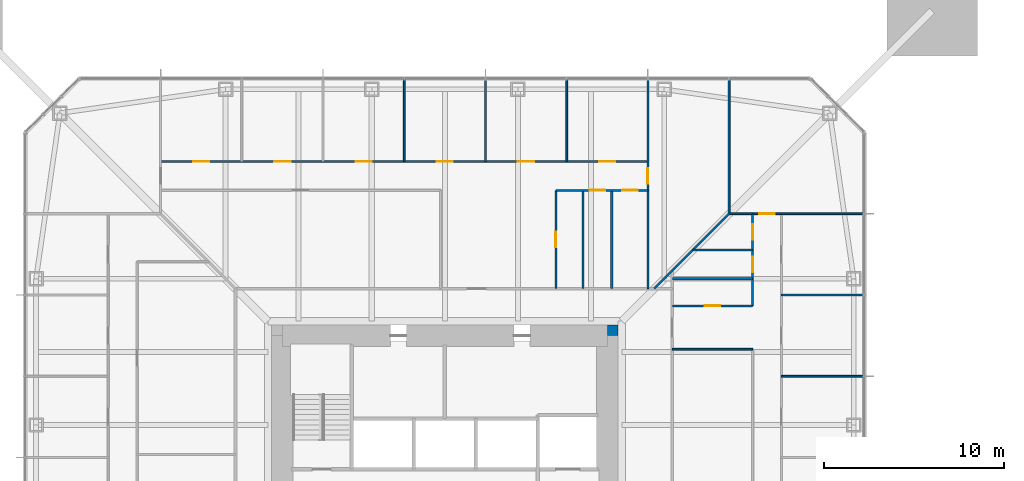
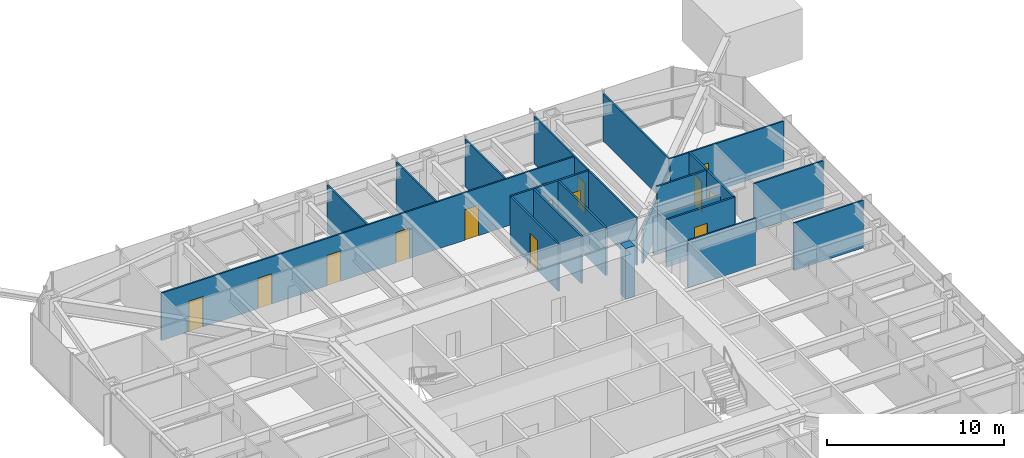
# One storey, part 17 of 26: 20 walls, 14 doors, 14 openings.
"""IFC4 building model written with IfcOpenShell, lengths in metres."""

from ifc_helpers import new_model, si_unit, direction, frame, frame_2d, origin, place, context, subcontext, project, spatial, rectangle, extrude, material, layer, layer_set, type_object, element, fill, save


model = new_model("IFC4")

# Units and contexts
model_context = context("Model", 3, precision=1e-05, world=origin(), true_north=direction((0.0, 1.0)))
body_context = subcontext(model_context, "Body", "Model", "MODEL_VIEW")
ifc_project = project(units=[si_unit("LENGTHUNIT", "METRE"), si_unit("AREAUNIT", "SQUARE_METRE"), si_unit("VOLUMEUNIT", "CUBIC_METRE"), si_unit("PLANEANGLEUNIT", "RADIAN"), si_unit("MASSUNIT", "GRAM", prefix="KILO")], contexts=[model_context])

# Site, building, storey
site_placement = place(None, origin())
site = spatial("IfcSite", under=ifc_project, at=site_placement, CompositionType="ELEMENT")
building_placement = place(site_placement, origin())
building = spatial("IfcBuilding", under=site, at=building_placement, Name="Iwan Alto Co-Living Towers", CompositionType="ELEMENT")
storey_placement = place(building_placement, frame((0.0, 0.0, 32.5)))
storey = spatial("IfcBuildingStorey", under=building, at=storey_placement, Name="L08", CompositionType="ELEMENT", Elevation=32.5)

# Walls
ifc_material_1 = material(Name="Gypsum board")
ifc_layer_1 = layer(ifc_material_1, 0.012451171875, Name="Board", Category="Finish")
ifc_material_2 = material(Name="Steel ASTM A1003 ST33H cold-formed studs", Category="steel")
ifc_layer_2 = layer(ifc_material_2, 0.074951171875, Name="Studs", Category="Framing")
ifc_layer_3 = layer(ifc_material_1, 0.012451171875, Name="Board", Category="Finish")
ifc_layer_set_1 = layer_set([ifc_layer_1, ifc_layer_2, ifc_layer_3], Name="PARTITION 100")
wall_type_1 = type_object("IfcWallType", Name="PARTITION 100", PredefinedType="PARTITIONING", material=ifc_layer_set_1)
wall_1_placement = place(storey_placement, frame((18.64990234375, 6.75, 0.0), z_axis=(0.0, 0.0, 1.0), x_axis=(1.0, 0.0, 0.0)))
element("IfcWall", 1, at=wall_1_placement, inside=storey, type_object=wall_type_1, Name="Partition L08", PredefinedType="PARTITIONING", context=body_context, shape_type="SweptSolid", body=[
    extrude(rectangle(XDim=4.5400390625, YDim=0.10009765625, at=frame_2d((2.27001953125, 0.0))), origin(), (0.0, 0.0, 1.0), 3.27001953125),
])
wall_2_placement = place(storey_placement, frame((12.60009765625, 8.25, 0.0), z_axis=(0.0, 0.0, 1.0), x_axis=(1.0, 0.0, 0.0)))
element("IfcWall", 2, at=wall_2_placement, inside=storey, type_object=wall_type_1, Name="Partition L08", PredefinedType="PARTITIONING", context=body_context, shape_type="SweptSolid", body=[
    extrude(rectangle(XDim=4.449951171875, YDim=0.10009765625, at=frame_2d((2.22509765625, 0.0))), origin(), (0.0, 0.0, 1.0), 3.27001953125),
])
wall_3_placement = place(storey_placement, frame((18.64990234375, 11.25, 0.0), z_axis=(0.0, 0.0, 1.0), x_axis=(1.0, 0.0, 0.0)))
element("IfcWall", 3, at=wall_3_placement, inside=storey, type_object=wall_type_1, Name="Partition L08", PredefinedType="PARTITIONING", context=body_context, shape_type="SweptSolid", body=[
    extrude(rectangle(XDim=4.5400390625, YDim=0.10009765625, at=frame_2d((2.27001953125, 0.0))), origin(), (0.0, 0.0, 1.0), 3.27001953125),
])

# Wall, opening, door
wall_4_placement = place(storey_placement, frame((15.75, 15.75, 0.0), z_axis=(0.0, 0.0, 1.0), x_axis=(1.0, 0.0, 0.0)))
wall_4 = element("IfcWall", 4, at=wall_4_placement, inside=storey, type_object=wall_type_1, Name="Partition L08", PredefinedType="PARTITIONING", context=body_context, shape_type="SweptSolid", body=[
    extrude(rectangle(XDim=7.43994140625, YDim=0.10009765625, at=frame_2d((3.719970703125, 0.0))), origin(), (0.0, 0.0, 1.0), 3.27001953125),
])
opening_1_placement = place(wall_4_placement, frame((1.675048828125, 0.0, 0.0)))
opening_1 = element("IfcOpeningElement", 5, at=opening_1_placement, cuts=wall_4, Name="Opening D2", PredefinedType="OPENING", context=body_context, shape_type="SweptSolid", body=[
    extrude(rectangle(XDim=0.85009765625, YDim=2.10009765625, at=frame_2d((0.425048828125, 1.050048828125))), frame((0.0, 0.06005859375, 0.0), z_axis=(0.0, -1.0, 0.0), x_axis=(1.0, 0.0, 0.0)), (0.0, 0.0, 1.0), 0.1201171875),
])
ifc_material_3 = material(Name="Timber leaf in steel frame", Category="steel")
door_type_1 = type_object("IfcDoorType", Name="ROOM DOOR 850X2100", OperationType="SINGLE_SWING_LEFT", PredefinedType="DOOR", material=ifc_material_3)
door_1_placement = place(opening_1_placement, frame((0.85009765625, 0.0, 0.0), z_axis=(0.0, 0.0, 1.0), x_axis=(-1.0, 0.0, 0.0)))
door_1 = element("IfcDoor", 6, at=door_1_placement, inside=storey, type_object=door_type_1, Name="Shared kitchen and lounge door L08", OperationType="SINGLE_SWING_RIGHT", OverallHeight=2.10009765625, OverallWidth=0.85009765625, PredefinedType="DOOR", context=body_context, shape_type="SweptSolid", body=[
    extrude(rectangle(XDim=0.85009765625, YDim=2.10009765625, at=frame_2d((0.425048828125, 1.050048828125))), frame((0.0, 0.02490234375, 0.0), z_axis=(0.0, -1.0, 0.0), x_axis=(1.0, 0.0, 0.0)), (0.0, 0.0, 1.0), 0.050048828125),
])
fill(opening_1, door_1)

# Wall, openings, doors
wall_5_placement = place(storey_placement, frame((-15.75, 18.64990234375, 0.0), z_axis=(0.0, 0.0, 1.0), x_axis=(1.0, 0.0, 0.0)))
wall_5 = element("IfcWall", 7, at=wall_5_placement, inside=storey, type_object=wall_type_1, Name="Partition L08", PredefinedType="PARTITIONING", context=body_context, shape_type="SweptSolid", body=[
    extrude(rectangle(XDim=27.0, YDim=0.10009765625, at=frame_2d((13.5, 0.0))), origin(), (0.0, 0.0, 1.0), 3.27001953125),
])
opening_2_placement = place(wall_5_placement, frame((24.300048828125, 0.0, 0.0)))
opening_2 = element("IfcOpeningElement", 8, at=opening_2_placement, cuts=wall_5, Name="Opening D1", PredefinedType="OPENING", context=body_context, shape_type="SweptSolid", body=[
    extrude(rectangle(XDim=0.89990234375, YDim=2.10009765625, at=frame_2d((0.449951171875, 1.050048828125))), frame((0.0, 0.06005859375, 0.0), z_axis=(0.0, -1.0, 0.0), x_axis=(1.0, 0.0, 0.0)), (0.0, 0.0, 1.0), 0.1201171875),
])
opening_3_placement = place(wall_5_placement, frame((19.800048828125, 0.0, 0.0)))
opening_3 = element("IfcOpeningElement", 9, at=opening_3_placement, cuts=wall_5, Name="Opening D1", PredefinedType="OPENING", context=body_context, shape_type="SweptSolid", body=[
    extrude(rectangle(XDim=0.89990234375, YDim=2.10009765625, at=frame_2d((0.449951171875, 1.050048828125))), frame((0.0, 0.06005859375, 0.0), z_axis=(0.0, -1.0, 0.0), x_axis=(1.0, 0.0, 0.0)), (0.0, 0.0, 1.0), 0.1201171875),
])
opening_4_placement = place(wall_5_placement, frame((15.300048828125, 0.0, 0.0)))
opening_4 = element("IfcOpeningElement", 10, at=opening_4_placement, cuts=wall_5, Name="Opening D1", PredefinedType="OPENING", context=body_context, shape_type="SweptSolid", body=[
    extrude(rectangle(XDim=0.89990234375, YDim=2.10009765625, at=frame_2d((0.449951171875, 1.050048828125))), frame((0.0, 0.06005859375, 0.0), z_axis=(0.0, -1.0, 0.0), x_axis=(1.0, 0.0, 0.0)), (0.0, 0.0, 1.0), 0.1201171875),
])
opening_5_placement = place(wall_5_placement, frame((10.800048828125, 0.0, 0.0)))
opening_5 = element("IfcOpeningElement", 11, at=opening_5_placement, cuts=wall_5, Name="Opening D1", PredefinedType="OPENING", context=body_context, shape_type="SweptSolid", body=[
    extrude(rectangle(XDim=0.89990234375, YDim=2.10009765625, at=frame_2d((0.449951171875, 1.050048828125))), frame((0.0, 0.06005859375, 0.0), z_axis=(0.0, -1.0, 0.0), x_axis=(1.0, 0.0, 0.0)), (0.0, 0.0, 1.0), 0.1201171875),
])
opening_6_placement = place(wall_5_placement, frame((6.300048828125, 0.0, 0.0)))
opening_6 = element("IfcOpeningElement", 12, at=opening_6_placement, cuts=wall_5, Name="Opening D1", PredefinedType="OPENING", context=body_context, shape_type="SweptSolid", body=[
    extrude(rectangle(XDim=0.89990234375, YDim=2.10009765625, at=frame_2d((0.449951171875, 1.050048828125))), frame((0.0, 0.06005859375, 0.0), z_axis=(0.0, -1.0, 0.0), x_axis=(1.0, 0.0, 0.0)), (0.0, 0.0, 1.0), 0.1201171875),
])
opening_7_placement = place(wall_5_placement, frame((1.800048828125, 0.0, 0.0)))
opening_7 = element("IfcOpeningElement", 13, at=opening_7_placement, cuts=wall_5, Name="Opening D1", PredefinedType="OPENING", context=body_context, shape_type="SweptSolid", body=[
    extrude(rectangle(XDim=0.89990234375, YDim=2.10009765625, at=frame_2d((0.449951171875, 1.050048828125))), frame((0.0, 0.06005859375, 0.0), z_axis=(0.0, -1.0, 0.0), x_axis=(1.0, 0.0, 0.0)), (0.0, 0.0, 1.0), 0.1201171875),
])
ifc_material_4 = material(Name="Timber leaf in steel frame", Category="steel")
door_type_2 = type_object("IfcDoorType", Name="BEDROOM DOOR 900X2100", OperationType="SINGLE_SWING_LEFT", PredefinedType="DOOR", material=ifc_material_4)
door_2_placement = place(opening_2_placement, frame((0.89990234375, 0.0, 0.0), z_axis=(0.0, 0.0, 1.0), x_axis=(-1.0, 0.0, 0.0)))
door_2 = element("IfcDoor", 14, at=door_2_placement, inside=storey, type_object=door_type_2, Name="Study bedroom door L08", OperationType="SINGLE_SWING_LEFT", OverallHeight=2.10009765625, OverallWidth=0.89990234375, PredefinedType="DOOR", context=body_context, shape_type="SweptSolid", body=[
    extrude(rectangle(XDim=0.89990234375, YDim=2.10009765625, at=frame_2d((0.449951171875, 1.050048828125))), frame((0.0, 0.02490234375, 0.0), z_axis=(0.0, -1.0, 0.0), x_axis=(1.0, 0.0, 0.0)), (0.0, 0.0, 1.0), 0.050048828125),
])
fill(opening_2, door_2)
door_3_placement = place(opening_3_placement, frame((0.89990234375, 0.0, 0.0), z_axis=(0.0, 0.0, 1.0), x_axis=(-1.0, 0.0, 0.0)))
door_3 = element("IfcDoor", 15, at=door_3_placement, inside=storey, type_object=door_type_2, Name="Study bedroom door L08", OperationType="SINGLE_SWING_LEFT", OverallHeight=2.10009765625, OverallWidth=0.89990234375, PredefinedType="DOOR", context=body_context, shape_type="SweptSolid", body=[
    extrude(rectangle(XDim=0.89990234375, YDim=2.10009765625, at=frame_2d((0.449951171875, 1.050048828125))), frame((0.0, 0.02490234375, 0.0), z_axis=(0.0, -1.0, 0.0), x_axis=(1.0, 0.0, 0.0)), (0.0, 0.0, 1.0), 0.050048828125),
])
fill(opening_3, door_3)
door_4_placement = place(opening_4_placement, frame((0.89990234375, 0.0, 0.0), z_axis=(0.0, 0.0, 1.0), x_axis=(-1.0, 0.0, 0.0)))
door_4 = element("IfcDoor", 16, at=door_4_placement, inside=storey, type_object=door_type_2, Name="Study bedroom door L08", OperationType="SINGLE_SWING_LEFT", OverallHeight=2.10009765625, OverallWidth=0.89990234375, PredefinedType="DOOR", context=body_context, shape_type="SweptSolid", body=[
    extrude(rectangle(XDim=0.89990234375, YDim=2.10009765625, at=frame_2d((0.449951171875, 1.050048828125))), frame((0.0, 0.02490234375, 0.0), z_axis=(0.0, -1.0, 0.0), x_axis=(1.0, 0.0, 0.0)), (0.0, 0.0, 1.0), 0.050048828125),
])
fill(opening_4, door_4)
door_5_placement = place(opening_5_placement, frame((0.89990234375, 0.0, 0.0), z_axis=(0.0, 0.0, 1.0), x_axis=(-1.0, 0.0, 0.0)))
door_5 = element("IfcDoor", 17, at=door_5_placement, inside=storey, type_object=door_type_2, Name="Study bedroom door L08", OperationType="SINGLE_SWING_RIGHT", OverallHeight=2.10009765625, OverallWidth=0.89990234375, PredefinedType="DOOR", context=body_context, shape_type="SweptSolid", body=[
    extrude(rectangle(XDim=0.89990234375, YDim=2.10009765625, at=frame_2d((0.449951171875, 1.050048828125))), frame((0.0, 0.02490234375, 0.0), z_axis=(0.0, -1.0, 0.0), x_axis=(1.0, 0.0, 0.0)), (0.0, 0.0, 1.0), 0.050048828125),
])
fill(opening_5, door_5)
door_6_placement = place(opening_6_placement, frame((0.89990234375, 0.0, 0.0), z_axis=(0.0, 0.0, 1.0), x_axis=(-1.0, 0.0, 0.0)))
door_6 = element("IfcDoor", 18, at=door_6_placement, inside=storey, type_object=door_type_2, Name="Study bedroom door L08", OperationType="SINGLE_SWING_RIGHT", OverallHeight=2.10009765625, OverallWidth=0.89990234375, PredefinedType="DOOR", context=body_context, shape_type="SweptSolid", body=[
    extrude(rectangle(XDim=0.89990234375, YDim=2.10009765625, at=frame_2d((0.449951171875, 1.050048828125))), frame((0.0, 0.02490234375, 0.0), z_axis=(0.0, -1.0, 0.0), x_axis=(1.0, 0.0, 0.0)), (0.0, 0.0, 1.0), 0.050048828125),
])
fill(opening_6, door_6)
door_7_placement = place(opening_7_placement, frame((0.89990234375, 0.0, 0.0), z_axis=(0.0, 0.0, 1.0), x_axis=(-1.0, 0.0, 0.0)))
door_7 = element("IfcDoor", 19, at=door_7_placement, inside=storey, type_object=door_type_2, Name="Study bedroom door L08", OperationType="SINGLE_SWING_RIGHT", OverallHeight=2.10009765625, OverallWidth=0.89990234375, PredefinedType="DOOR", context=body_context, shape_type="SweptSolid", body=[
    extrude(rectangle(XDim=0.89990234375, YDim=2.10009765625, at=frame_2d((0.449951171875, 1.050048828125))), frame((0.0, 0.02490234375, 0.0), z_axis=(0.0, -1.0, 0.0), x_axis=(1.0, 0.0, 0.0)), (0.0, 0.0, 1.0), 0.050048828125),
])
fill(opening_7, door_7)

# Wall
wall_6_placement = place(storey_placement, frame((15.75, 15.75, 0.0), z_axis=(0.0, 0.0, 1.0), x_axis=(0.0, 1.0, 0.0)))
element("IfcWall", 20, at=wall_6_placement, inside=storey, type_object=wall_type_1, Name="Partition L08", PredefinedType="PARTITIONING", context=body_context, shape_type="SweptSolid", body=[
    extrude(rectangle(XDim=7.43994140625, YDim=0.10009765625, at=frame_2d((3.719970703125, 0.0))), origin(), (0.0, 0.0, 1.0), 3.27001953125),
])

# Wall, opening, door
wall_7_placement = place(storey_placement, frame((11.25, 11.60009765625, 0.0), z_axis=(0.0, 0.0, 1.0), x_axis=(0.0, 1.0, 0.0)))
wall_7 = element("IfcWall", 21, at=wall_7_placement, inside=storey, type_object=wall_type_1, Name="Partition L08", PredefinedType="PARTITIONING", context=body_context, shape_type="SweptSolid", body=[
    extrude(rectangle(XDim=11.58984375, YDim=0.10009765625, at=frame_2d((5.794921875, 0.0))), origin(), (0.0, 0.0, 1.0), 3.27001953125),
])
opening_8_placement = place(wall_7_placement, frame((5.824951171875, 0.0, 0.0)))
opening_8 = element("IfcOpeningElement", 22, at=opening_8_placement, cuts=wall_7, Name="Opening D2", PredefinedType="OPENING", context=body_context, shape_type="SweptSolid", body=[
    extrude(rectangle(XDim=0.85009765625, YDim=2.10009765625, at=frame_2d((0.425048828125, 1.050048828125))), frame((0.0, 0.06005859375, 0.0), z_axis=(0.0, -1.0, 0.0), x_axis=(1.0, 0.0, 0.0)), (0.0, 0.0, 1.0), 0.1201171875),
])
door_8_placement = place(opening_8_placement, origin())
door_8 = element("IfcDoor", 23, at=door_8_placement, inside=storey, type_object=door_type_1, Name="Seminar room door L08", OperationType="SINGLE_SWING_LEFT", OverallHeight=2.10009765625, OverallWidth=0.85009765625, PredefinedType="DOOR", context=body_context, shape_type="SweptSolid", body=[
    extrude(rectangle(XDim=0.85009765625, YDim=2.10009765625, at=frame_2d((0.425048828125, 1.050048828125))), frame((0.0, 0.02490234375, 0.0), z_axis=(0.0, -1.0, 0.0), x_axis=(1.0, 0.0, 0.0)), (0.0, 0.0, 1.0), 0.050048828125),
])
fill(opening_8, door_8)

# Walls
for number, where, z_axis, x_axis, name in (
    (24, (6.75, 18.64990234375, 0.0), (0.0, 0.0, 1.0), (0.0, 1.0, 0.0), "Partition L08"),
    (25, (2.25, 18.64990234375, 0.0), (0.0, 0.0, 1.0), (0.0, 1.0, 0.0), "Partition L08"),
    (26, (-2.25, 18.64990234375, 0.0), (0.0, 0.0, 1.0), (0.0, 1.0, 0.0), "Partition L08"),
):
    element("IfcWall", number, at=place(storey_placement, frame(where, z_axis=z_axis, x_axis=x_axis)), inside=storey, type_object=wall_type_1, Name=name, PredefinedType="PARTITIONING", context=body_context, shape_type="SweptSolid", body=[
        extrude(rectangle(XDim=4.5400390625, YDim=0.10009765625, at=frame_2d((2.27001953125, 0.0))), origin(), (0.0, 0.0, 1.0), 3.27001953125),
    ])
ifc_material_5 = material(Name="Concrete f'c 70 MPa", Category="concrete")
ifc_layer_4 = layer(ifc_material_5, 0.60009765625)
ifc_layer_set_2 = layer_set([ifc_layer_4], Name="T1 CORE CORNER FILL 600")
wall_type_2 = type_object("IfcWallType", Name="T1 CORE CORNER FILL 600", PredefinedType="SOLIDWALL", material=ifc_layer_set_2)
wall_8_placement = place(storey_placement, frame((9.0, 9.300048828125, 0.0), z_axis=(0.0, 0.0, 1.0), x_axis=(1.0, 0.0, 0.0)))
element("IfcWall", 27, at=wall_8_placement, inside=storey, type_object=wall_type_2, Name="T1 core corner NE L08", PredefinedType="SOLIDWALL", context=body_context, shape_type="SweptSolid", body=[
    extrude(rectangle(XDim=0.60009765625, YDim=0.60009765625, at=frame_2d((0.300048828125, 0.0))), origin(), (0.0, 0.0, 1.0), 3.5),
])

# Wall, opening, door
ifc_material_6 = material(Name="Cement board")
ifc_layer_5 = layer(ifc_material_6, 0.012451171875, Name="Board", Category="Finish")
ifc_layer_6 = layer(ifc_material_2, 0.094970703125, Name="Studs", Category="Framing")
ifc_layer_7 = layer(ifc_material_6, 0.012451171875, Name="Board", Category="Finish")
ifc_layer_set_3 = layer_set([ifc_layer_5, ifc_layer_6, ifc_layer_7], Name="WET AREA PARTITION 120")
wall_type_3 = type_object("IfcWallType", Name="WET AREA PARTITION 120", PredefinedType="PARTITIONING", material=ifc_layer_set_3)
wall_9_placement = place(storey_placement, frame((12.60009765625, 10.64990234375, 0.0), z_axis=(0.0, 0.0, 1.0), x_axis=(1.0, 0.0, 0.0)))
wall_9 = element("IfcWall", 28, at=wall_9_placement, inside=storey, type_object=wall_type_3, Name="Partition L08", PredefinedType="PARTITIONING", context=body_context, shape_type="SweptSolid", body=[
    extrude(rectangle(XDim=4.449951171875, YDim=0.1201171875, at=frame_2d((2.22509765625, 0.0))), origin(), (0.0, 0.0, 1.0), 3.27001953125),
])
opening_9_placement = place(wall_9_placement, frame((1.800048828125, 0.0, 0.0)))
opening_9 = element("IfcOpeningElement", 29, at=opening_9_placement, cuts=wall_9, Name="Opening D2", PredefinedType="OPENING", context=body_context, shape_type="SweptSolid", body=[
    extrude(rectangle(XDim=0.85009765625, YDim=2.10009765625, at=frame_2d((0.425048828125, 1.050048828125))), frame((0.0, 0.070068359375, 0.0), z_axis=(0.0, -1.0, 0.0), x_axis=(1.0, 0.0, 0.0)), (0.0, 0.0, 1.0), 0.14013671875),
])
door_9_placement = place(opening_9_placement, frame((0.85009765625, 0.0, 0.0), z_axis=(0.0, 0.0, 1.0), x_axis=(-1.0, 0.0, 0.0)))
door_9 = element("IfcDoor", 30, at=door_9_placement, inside=storey, type_object=door_type_1, Name="Bathroom door L08", OperationType="SINGLE_SWING_RIGHT", OverallHeight=2.10009765625, OverallWidth=0.85009765625, PredefinedType="DOOR", context=body_context, shape_type="SweptSolid", body=[
    extrude(rectangle(XDim=0.85009765625, YDim=2.10009765625, at=frame_2d((0.425048828125, 1.050048828125))), frame((0.0, 0.02490234375, 0.0), z_axis=(0.0, -1.0, 0.0), x_axis=(1.0, 0.0, 0.0)), (0.0, 0.0, 1.0), 0.050048828125),
])
fill(opening_9, door_9)

# Walls
wall_10_placement = place(storey_placement, frame((12.60009765625, 12.14990234375, 0.0), z_axis=(0.0, 0.0, 1.0), x_axis=(1.0, 0.0, 0.0)))
element("IfcWall", 31, at=wall_10_placement, inside=storey, type_object=wall_type_3, Name="Partition L08", PredefinedType="PARTITIONING", context=body_context, shape_type="SweptSolid", body=[
    extrude(rectangle(XDim=4.449951171875, YDim=0.1201171875, at=frame_2d((2.22509765625, 0.0))), origin(), (0.0, 0.0, 1.0), 2.508056640625),
])
wall_11_placement = place(storey_placement, frame((13.75, 13.75, 0.0), z_axis=(0.0, 0.0, 1.0), x_axis=(1.0, 0.0, 0.0)))
element("IfcWall", 32, at=wall_11_placement, inside=storey, type_object=wall_type_3, Name="Partition L08", PredefinedType="PARTITIONING", context=body_context, shape_type="SweptSolid", body=[
    extrude(rectangle(XDim=3.300048828125, YDim=0.1201171875, at=frame_2d((1.64990234375, 0.0))), origin(), (0.0, 0.0, 1.0), 3.27001953125),
])

# Wall, openings, doors
wall_12_placement = place(storey_placement, frame((6.14990234375, 17.050048828125, 0.0), z_axis=(0.0, 0.0, 1.0), x_axis=(1.0, 0.0, 0.0)))
wall_12 = element("IfcWall", 33, at=wall_12_placement, inside=storey, type_object=wall_type_3, Name="Partition L08", PredefinedType="PARTITIONING", context=body_context, shape_type="SweptSolid", body=[
    extrude(rectangle(XDim=5.10009765625, YDim=0.1201171875, at=frame_2d((2.550048828125, 0.0))), origin(), (0.0, 0.0, 1.0), 3.27001953125),
])
opening_10_placement = place(wall_12_placement, frame((3.675048828125, 0.0, 0.0)))
opening_10 = element("IfcOpeningElement", 34, at=opening_10_placement, cuts=wall_12, Name="Opening D2", PredefinedType="OPENING", context=body_context, shape_type="SweptSolid", body=[
    extrude(rectangle(XDim=0.85009765625, YDim=2.10009765625, at=frame_2d((0.425048828125, 1.050048828125))), frame((0.0, 0.070068359375, 0.0), z_axis=(0.0, -1.0, 0.0), x_axis=(1.0, 0.0, 0.0)), (0.0, 0.0, 1.0), 0.14013671875),
])
opening_11_placement = place(wall_12_placement, frame((1.875, 0.0, 0.0)))
opening_11 = element("IfcOpeningElement", 35, at=opening_11_placement, cuts=wall_12, Name="Opening D2", PredefinedType="OPENING", context=body_context, shape_type="SweptSolid", body=[
    extrude(rectangle(XDim=0.85009765625, YDim=2.10009765625, at=frame_2d((0.425048828125, 1.050048828125))), frame((0.0, 0.070068359375, 0.0), z_axis=(0.0, -1.0, 0.0), x_axis=(1.0, 0.0, 0.0)), (0.0, 0.0, 1.0), 0.14013671875),
])
door_10_placement = place(opening_10_placement, origin())
door_10 = element("IfcDoor", 36, at=door_10_placement, inside=storey, type_object=door_type_1, Name="Laundry door L08", OperationType="SINGLE_SWING_RIGHT", OverallHeight=2.10009765625, OverallWidth=0.85009765625, PredefinedType="DOOR", context=body_context, shape_type="SweptSolid", body=[
    extrude(rectangle(XDim=0.85009765625, YDim=2.10009765625, at=frame_2d((0.425048828125, 1.050048828125))), frame((0.0, 0.02490234375, 0.0), z_axis=(0.0, -1.0, 0.0), x_axis=(1.0, 0.0, 0.0)), (0.0, 0.0, 1.0), 0.050048828125),
])
fill(opening_10, door_10)
door_11_placement = place(opening_11_placement, origin())
door_11 = element("IfcDoor", 37, at=door_11_placement, inside=storey, type_object=door_type_1, Name="Accessible bathroom door L08", OperationType="SINGLE_SWING_RIGHT", OverallHeight=2.10009765625, OverallWidth=0.85009765625, PredefinedType="DOOR", context=body_context, shape_type="SweptSolid", body=[
    extrude(rectangle(XDim=0.85009765625, YDim=2.10009765625, at=frame_2d((0.425048828125, 1.050048828125))), frame((0.0, 0.02490234375, 0.0), z_axis=(0.0, -1.0, 0.0), x_axis=(1.0, 0.0, 0.0)), (0.0, 0.0, 1.0), 0.050048828125),
])
fill(opening_11, door_11)

# Wall
wall_13_placement = place(storey_placement, frame((11.60009765625, 11.60009765625, 0.0), z_axis=(0.0, 0.0, 1.0), x_axis=(0.707106781187, 0.707106781187, 0.0)))
element("IfcWall", 38, at=wall_13_placement, inside=storey, type_object=wall_type_3, Name="Partition L08", PredefinedType="PARTITIONING", context=body_context, shape_type="SweptSolid", body=[
    extrude(rectangle(XDim=5.868896484375, YDim=0.1201171875, at=frame_2d((2.9345703125, 0.0))), origin(), (0.0, 0.0, 1.0), 2.343017578125),
])

# Wall, openings, doors
wall_14_placement = place(storey_placement, frame((17.050048828125, 10.64990234375, 0.0), z_axis=(0.0, 0.0, 1.0), x_axis=(0.0, 1.0, 0.0)))
wall_14 = element("IfcWall", 39, at=wall_14_placement, inside=storey, type_object=wall_type_3, Name="Partition L08", PredefinedType="PARTITIONING", context=body_context, shape_type="SweptSolid", body=[
    extrude(rectangle(XDim=5.10009765625, YDim=0.1201171875, at=frame_2d((2.550048828125, 0.0))), origin(), (0.0, 0.0, 1.0), 3.27001953125),
])
opening_12_placement = place(wall_14_placement, frame((1.875, 0.0, 0.0)))
opening_12 = element("IfcOpeningElement", 40, at=opening_12_placement, cuts=wall_14, Name="Opening D2", PredefinedType="OPENING", context=body_context, shape_type="SweptSolid", body=[
    extrude(rectangle(XDim=0.85009765625, YDim=2.10009765625, at=frame_2d((0.425048828125, 1.050048828125))), frame((0.0, 0.070068359375, 0.0), z_axis=(0.0, -1.0, 0.0), x_axis=(1.0, 0.0, 0.0)), (0.0, 0.0, 1.0), 0.14013671875),
])
opening_13_placement = place(wall_14_placement, frame((3.675048828125, 0.0, 0.0)))
opening_13 = element("IfcOpeningElement", 41, at=opening_13_placement, cuts=wall_14, Name="Opening D2", PredefinedType="OPENING", context=body_context, shape_type="SweptSolid", body=[
    extrude(rectangle(XDim=0.85009765625, YDim=2.10009765625, at=frame_2d((0.425048828125, 1.050048828125))), frame((0.0, 0.070068359375, 0.0), z_axis=(0.0, -1.0, 0.0), x_axis=(1.0, 0.0, 0.0)), (0.0, 0.0, 1.0), 0.14013671875),
])
door_12_placement = place(opening_12_placement, frame((0.85009765625, 0.0, 0.0), z_axis=(0.0, 0.0, 1.0), x_axis=(-1.0, 0.0, 0.0)))
door_12 = element("IfcDoor", 42, at=door_12_placement, inside=storey, type_object=door_type_1, Name="Bathroom door L08", OperationType="SINGLE_SWING_LEFT", OverallHeight=2.10009765625, OverallWidth=0.85009765625, PredefinedType="DOOR", context=body_context, shape_type="SweptSolid", body=[
    extrude(rectangle(XDim=0.85009765625, YDim=2.10009765625, at=frame_2d((0.425048828125, 1.050048828125))), frame((0.0, 0.02490234375, 0.0), z_axis=(0.0, -1.0, 0.0), x_axis=(1.0, 0.0, 0.0)), (0.0, 0.0, 1.0), 0.050048828125),
])
fill(opening_12, door_12)
door_13_placement = place(opening_13_placement, frame((0.85009765625, 0.0, 0.0), z_axis=(0.0, 0.0, 1.0), x_axis=(-1.0, 0.0, 0.0)))
door_13 = element("IfcDoor", 43, at=door_13_placement, inside=storey, type_object=door_type_1, Name="Laundry door L08", OperationType="SINGLE_SWING_LEFT", OverallHeight=2.10009765625, OverallWidth=0.85009765625, PredefinedType="DOOR", context=body_context, shape_type="SweptSolid", body=[
    extrude(rectangle(XDim=0.85009765625, YDim=2.10009765625, at=frame_2d((0.425048828125, 1.050048828125))), frame((0.0, 0.02490234375, 0.0), z_axis=(0.0, -1.0, 0.0), x_axis=(1.0, 0.0, 0.0)), (0.0, 0.0, 1.0), 0.050048828125),
])
fill(opening_13, door_13)

# Walls
for number, where, z_axis, x_axis, name in (
    (44, (9.25, 11.60009765625, 0.0), (0.0, 0.0, 1.0), (0.0, 1.0, 0.0), "Partition L08"),
    (45, (7.64990234375, 11.60009765625, 0.0), (0.0, 0.0, 1.0), (0.0, 1.0, 0.0), "Partition L08"),
):
    element("IfcWall", number, at=place(storey_placement, frame(where, z_axis=z_axis, x_axis=x_axis)), inside=storey, type_object=wall_type_3, Name=name, PredefinedType="PARTITIONING", context=body_context, shape_type="SweptSolid", body=[
        extrude(rectangle(XDim=5.449951171875, YDim=0.1201171875, at=frame_2d((2.72509765625, 0.0))), origin(), (0.0, 0.0, 1.0), 3.27001953125),
    ])

# Wall, opening, door
wall_15_placement = place(storey_placement, frame((6.14990234375, 11.60009765625, 0.0), z_axis=(0.0, 0.0, 1.0), x_axis=(0.0, 1.0, 0.0)))
wall_15 = element("IfcWall", 46, at=wall_15_placement, inside=storey, type_object=wall_type_3, Name="Partition L08", PredefinedType="PARTITIONING", context=body_context, shape_type="SweptSolid", body=[
    extrude(rectangle(XDim=5.449951171875, YDim=0.1201171875, at=frame_2d((2.72509765625, 0.0))), origin(), (0.0, 0.0, 1.0), 3.27001953125),
])
opening_14_placement = place(wall_15_placement, frame((2.300048828125, 0.0, 0.0)))
opening_14 = element("IfcOpeningElement", 47, at=opening_14_placement, cuts=wall_15, Name="Opening D2", PredefinedType="OPENING", context=body_context, shape_type="SweptSolid", body=[
    extrude(rectangle(XDim=0.85009765625, YDim=2.10009765625, at=frame_2d((0.425048828125, 1.050048828125))), frame((0.0, 0.070068359375, 0.0), z_axis=(0.0, -1.0, 0.0), x_axis=(1.0, 0.0, 0.0)), (0.0, 0.0, 1.0), 0.14013671875),
])
door_14_placement = place(opening_14_placement, origin())
door_14 = element("IfcDoor", 48, at=door_14_placement, inside=storey, type_object=door_type_1, Name="Bathroom door L08", OperationType="SINGLE_SWING_LEFT", OverallHeight=2.10009765625, OverallWidth=0.85009765625, PredefinedType="DOOR", context=body_context, shape_type="SweptSolid", body=[
    extrude(rectangle(XDim=0.85009765625, YDim=2.10009765625, at=frame_2d((0.425048828125, 1.050048828125))), frame((0.0, 0.02490234375, 0.0), z_axis=(0.0, -1.0, 0.0), x_axis=(1.0, 0.0, 0.0)), (0.0, 0.0, 1.0), 0.050048828125),
])
fill(opening_14, door_14)

save(model, "model.ifc")
